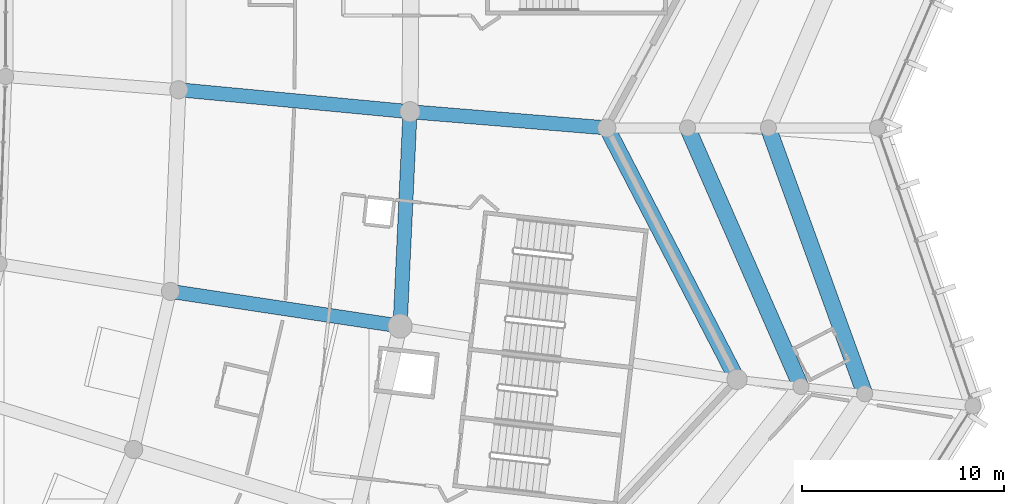
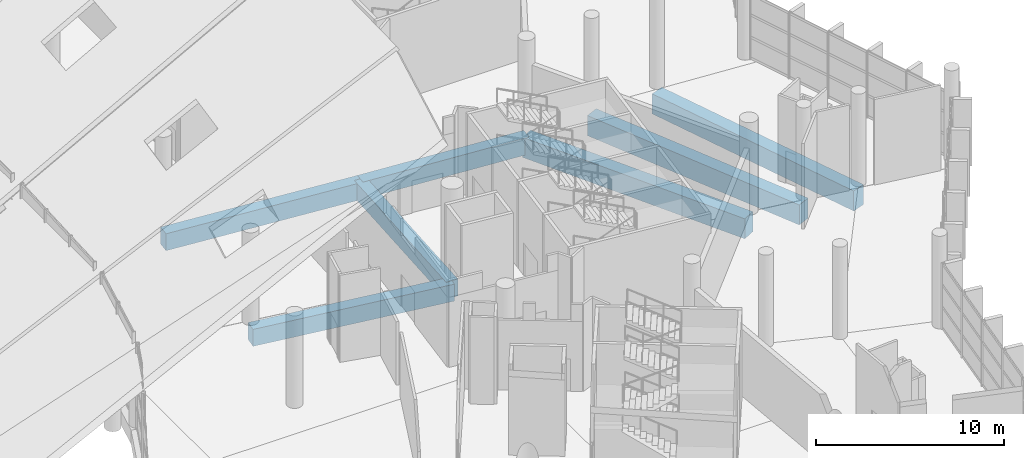
# One storey, part 44 of 249: 7 beams.
"""IFC4 building model written with IfcOpenShell, lengths in metres."""

from ifc_helpers import new_model, si_unit, direction, frame, origin, origin_2d, place, context, subcontext, project, spatial, rectangle, extrude, material, material_profile, profile_set, type_object, element, save


model = new_model("IFC4")

# Units and contexts
model_context = context("Model", 3, precision=1e-05, world=origin(), true_north=direction((0.0, 1.0)))
body_context = subcontext(model_context, "Body", "Model", "MODEL_VIEW")
ifc_project = project(units=[si_unit("LENGTHUNIT", "METRE"), si_unit("AREAUNIT", "SQUARE_METRE"), si_unit("VOLUMEUNIT", "CUBIC_METRE"), si_unit("PLANEANGLEUNIT", "RADIAN"), si_unit("MASSUNIT", "GRAM", prefix="KILO")], contexts=[model_context])

# Site, building, storey
site_placement = place(None, origin())
site = spatial("IfcSite", under=ifc_project, at=site_placement, CompositionType="ELEMENT")
building_placement = place(site_placement, origin())
building = spatial("IfcBuilding", under=site, at=building_placement, Name="Meseta Stadium", CompositionType="ELEMENT")
storey_placement = place(building_placement, frame((0.0, 0.0, 12.0)))
storey = spatial("IfcBuildingStorey", under=building, at=storey_placement, Name="L02", CompositionType="ELEMENT", Elevation=12.0)

# Beams
ifc_material_1 = material(Name="Concrete C40/50", Category="concrete")
ifc_material_profile_1 = material_profile(ifc_material_1, rectangle(XDim=0.699951171875, YDim=1.10009765625, at=origin_2d()), Name="RC 700x1100")
ifc_profile_set_1 = profile_set([ifc_material_profile_1], Name="Concrete C40/50")
beam_type_1 = type_object("IfcBeamType", Name="RC beam 700x1100", PredefinedType="BEAM", material=ifc_profile_set_1)
beam_1_placement = place(storey_placement, frame((84.36328125, -53.5654296875, -0.89990234375), z_axis=(0.046171416705, 0.998933531462, 0.0), x_axis=(-0.998933531462, 0.046171416705, 0.0)))
element("IfcBeam", 1, at=beam_1_placement, inside=storey, type_object=beam_type_1, Name="L02 ring beam frame 0 line P", PredefinedType="BEAM", context=body_context, shape_type="SweptSolid", body=[
    extrude(rectangle(XDim=0.699951171875, YDim=1.10009765625, at=origin_2d()), origin(), (0.0, 0.0, 1.0), 10.628173828125),
])
beam_2_placement = place(storey_placement, frame((72.9921875, -51.84716796875, -0.89990234375), z_axis=(0.988775073655, -0.149411692039, 0.0), x_axis=(0.149411692039, 0.988775073655, 0.0)))
element("IfcBeam", 2, at=beam_2_placement, inside=storey, type_object=beam_type_1, Name="L02 radial beam frame 0 line E to P", PredefinedType="BEAM", context=body_context, shape_type="SweptSolid", body=[
    extrude(rectangle(XDim=0.699951171875, YDim=1.10009765625, at=origin_2d()), origin(), (0.0, 0.0, 1.0), 11.500244140625),
])
beam_3_placement = place(storey_placement, frame((73.40478515625, -41.8623046875, -0.89990234375), z_axis=(0.995530039578, -0.094445435561, 0.0), x_axis=(0.094445435561, 0.995530039578, 0.0)))
element("IfcBeam", 3, at=beam_3_placement, inside=storey, type_object=beam_type_1, Name="L02 radial beam frame 1 line E to P", PredefinedType="BEAM", context=body_context, shape_type="SweptSolid", body=[
    extrude(rectangle(XDim=0.699951171875, YDim=1.10009765625, at=origin_2d()), origin(), (0.0, 0.0, 1.0), 11.500732421875),
])
beam_4_placement = place(storey_placement, frame((84.85400390625, -42.948486328125, -0.89990234375), z_axis=(0.996635391437, -0.081962775303, 0.0), x_axis=(0.081962775303, 0.996635391437, 0.0)))
element("IfcBeam", 4, at=beam_4_placement, inside=storey, type_object=beam_type_1, Name="L02 radial beam frame 1 line P to R", PredefinedType="BEAM", context=body_context, shape_type="SweptSolid", body=[
    extrude(rectangle(XDim=0.699951171875, YDim=1.10009765625, at=origin_2d()), origin(), (0.0, 0.0, 1.0), 9.779052734375),
])
ifc_material_2 = material(Name="Concrete C40/50", Category="concrete")
ifc_material_profile_2 = material_profile(ifc_material_2, rectangle(XDim=0.800048828125, YDim=1.300048828125, at=origin_2d()), Name="RC 800x1300")
ifc_profile_set_2 = profile_set([ifc_material_profile_2], Name="Concrete C40/50")
beam_type_2 = type_object("IfcBeamType", Name="RC beam 800x1300", PredefinedType="BEAM", material=ifc_profile_set_2)
beam_5_placement = place(storey_placement, frame((101.0517578125, -56.202880859375, -1.0), z_axis=(-0.460014301189, 0.887911506121, 0.0), x_axis=(-0.887911506121, -0.460014301189, 0.0)))
element("IfcBeam", 5, at=beam_5_placement, inside=storey, type_object=beam_type_2, Name="L02 ring beam frame 0 line R", PredefinedType="BEAM", context=body_context, shape_type="SweptSolid", body=[
    extrude(rectangle(XDim=0.800048828125, YDim=1.300048828125, at=origin_2d()), origin(), (0.0, 0.0, 1.0), 14.02490234375),
])
beam_6_placement = place(storey_placement, frame((104.2119140625, -56.558837890625, -1.0), z_axis=(-0.401295934377, 0.915948455456, 0.0), x_axis=(-0.915948455456, -0.401295934377, 0.0)))
element("IfcBeam", 6, at=beam_6_placement, inside=storey, type_object=beam_type_2, Name="L02 ring beam frame 0 line M", PredefinedType="BEAM", context=body_context, shape_type="SweptSolid", body=[
    extrude(rectangle(XDim=0.800048828125, YDim=1.300048828125, at=origin_2d()), origin(), (0.0, 0.0, 1.0), 13.984130859375),
])
beam_7_placement = place(storey_placement, frame((107.372314453125, -56.9150390625, -1.0), z_axis=(-0.340792389295, 0.940138578827, 0.0), x_axis=(-0.940138578827, -0.340792389295, 0.0)))
element("IfcBeam", 7, at=beam_7_placement, inside=storey, type_object=beam_type_2, Name="L02 ring beam frame 0 line Q", PredefinedType="BEAM", context=body_context, shape_type="SweptSolid", body=[
    extrude(rectangle(XDim=0.800048828125, YDim=1.300048828125, at=origin_2d()), origin(), (0.0, 0.0, 1.0), 14.00341796875),
])

save(model, "model.ifc")
